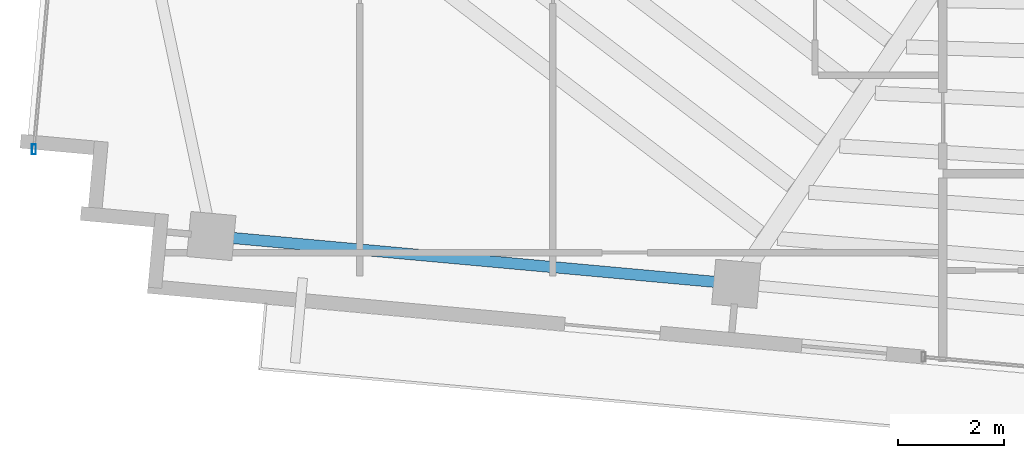
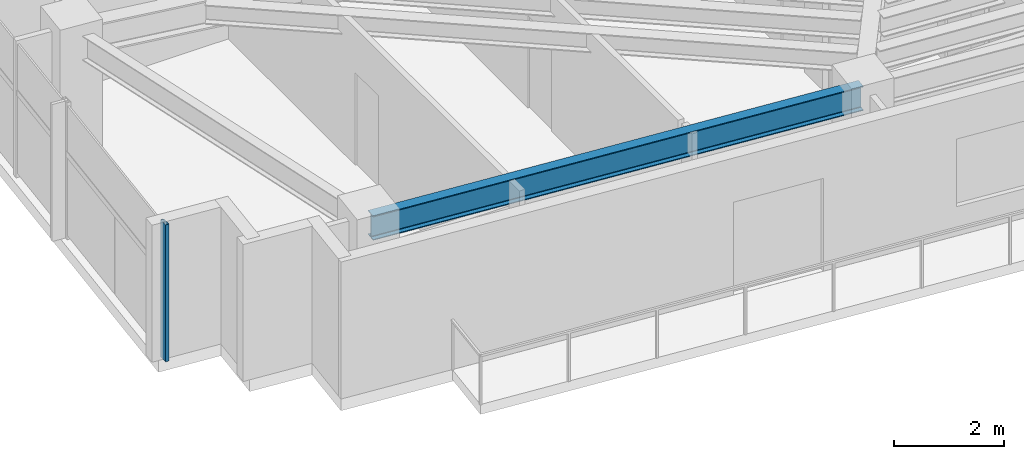
# One storey, part 2 of 22: 1 beam, 1 member, 1 element without a shape of its own.
"""IFC4 building model written with IfcOpenShell, lengths in metres."""

import ifcopenshell
import ifcopenshell.guid

model = None  # the IFC model being written
_history = None  # IfcOwnerHistory: only IFC2X3 demands one
_inside = {}  # id of a spatial element -> (the spatial element, [elements in it])
_under = {}  # id of a project, library or spatial element -> (it, [spatial elements below it])
_declared = {}  # id of a project -> (the project, [libraries it declares])
_typed = {}  # id of a type object -> (the type object, [elements of that type])
_made_of = {}  # id of a material, layer set ... -> (it, [elements and type objects made of it])


def new_model(schema):
    """Start an empty IFC model of exactly this schema.

    Asked for "IFC4X3", IfcOpenShell would pick the latest addendum, in which some entities
    have other attributes; the version numbers below select the first issue.
    IFC2X3 requires an IfcOwnerHistory on every rooted entity: one is made here for all.
    """
    global model, _history
    if schema == "IFC4X3":
        model = ifcopenshell.file(schema_version=(4, 3, 0, 0))
    else:
        model = ifcopenshell.file(schema=schema)
    _inside.clear()
    _under.clear()
    _declared.clear()
    _typed.clear()
    _made_of.clear()
    _history = None
    if model.schema == "IFC2X3":
        org = make("IfcOrganization", Name="unknown")
        user = make(
            "IfcPersonAndOrganization",
            ThePerson=make("IfcPerson", FamilyName="unknown"),
            TheOrganization=org,
        )
        app = make(
            "IfcApplication",
            ApplicationDeveloper=org,
            Version="unknown",
            ApplicationFullName="unknown",
            ApplicationIdentifier="unknown",
        )
        _history = make(
            "IfcOwnerHistory",
            OwningUser=user,
            OwningApplication=app,
            ChangeAction="ADDED",
            CreationDate=0,
        )
    return model


def make(cls, **values):
    """One entity of the class cls with the attributes given. An attribute that is None is left unset."""
    return model.create_entity(
        cls, **{name: value for name, value in values.items() if value is not None}
    )


def rooted(cls, **values):
    """An entity with a GlobalId (a new one), such as an element, a storey or a relation."""
    return make(cls, GlobalId=ifcopenshell.guid.new(), OwnerHistory=_history, **values)


def si_unit(unit_type, name, prefix=None):
    """IfcSIUnit, for example si_unit("LENGTHUNIT", "METRE", prefix="MILLI")."""
    return make("IfcSIUnit", UnitType=unit_type, Prefix=prefix, Name=name)


def assignment(units):
    """IfcUnitAssignment: the units of a project."""
    return None if units is None else make("IfcUnitAssignment", Units=units)


def point(xyz):
    """IfcCartesianPoint."""
    return None if xyz is None else make("IfcCartesianPoint", Coordinates=xyz)


def direction(xyz):
    """IfcDirection."""
    return None if xyz is None else make("IfcDirection", DirectionRatios=xyz)


def frame(location, z_axis=None, x_axis=None):
    """IfcAxis2Placement3D, a coordinate frame: its origin and axes. An axis left out is left unset."""
    return make(
        "IfcAxis2Placement3D",
        Location=point(location),
        Axis=direction(z_axis),
        RefDirection=direction(x_axis),
    )


def frame_2d(location, x_axis=None):
    """IfcAxis2Placement2D, a coordinate frame in the plane: its origin and x axis."""
    return make(
        "IfcAxis2Placement2D", Location=point(location), RefDirection=direction(x_axis)
    )


def origin():
    """The frame at (0, 0, 0) with its axes left unset."""
    return frame((0.0, 0.0, 0.0))


def origin_2d():
    """The frame at (0, 0) in the plane with its x axis left unset."""
    return frame_2d((0.0, 0.0))


def place(relative_to, where):
    """IfcLocalPlacement: puts the frame where relative to a parent placement (None: the world)."""
    return make(
        "IfcLocalPlacement", PlacementRelTo=relative_to, RelativePlacement=where
    )


def context(
    kind, dimensions, precision=None, world=None, true_north=None, identifier=None
):
    """IfcGeometricRepresentationContext, for example the 3D "Model" context."""
    return make(
        "IfcGeometricRepresentationContext",
        ContextIdentifier=identifier,
        ContextType=kind,
        CoordinateSpaceDimension=dimensions,
        Precision=precision,
        WorldCoordinateSystem=world,
        TrueNorth=true_north,
    )


def subcontext(parent, identifier, kind, view, scale=None):
    """IfcGeometricRepresentationSubContext, for example "Body" below "Model"."""
    return make(
        "IfcGeometricRepresentationSubContext",
        ContextIdentifier=identifier,
        ContextType=kind,
        ParentContext=parent,
        TargetScale=scale,
        TargetView=view,
    )


def project(units=None, contexts=None):
    """IfcProject with its units and contexts."""
    return rooted(
        "IfcProject",
        Name="project",
        RepresentationContexts=contexts,
        UnitsInContext=assignment(units),
    )


def spatial(cls, under=None, at=None, **own):
    """A site, building, storey or space (cls), placed at a placement, below another one or the project."""
    s = rooted(cls, ObjectPlacement=at, **own)
    if under is not None:
        _under.setdefault(under.id(), (under, []))[1].append(s)
    return s


def profile(cls, at=None, kind="AREA", **sizes):
    """A parametric profile (cls). Its sizes go by their IFC names, for example OverallWidth=200.0."""
    return make(cls, ProfileType=kind, Position=at, **sizes)


def hollow_rectangle(**sizes):
    """IfcRectangleHollowProfileDef."""
    return profile("IfcRectangleHollowProfileDef", **sizes)


def i_section(**sizes):
    """IfcIShapeProfileDef."""
    return profile("IfcIShapeProfileDef", **sizes)


def extrude(swept, where, along, depth):
    """IfcExtrudedAreaSolid: the profile swept, set in the frame where, extruded along a direction by depth."""
    return make(
        "IfcExtrudedAreaSolid",
        SweptArea=swept,
        Position=where,
        ExtrudedDirection=direction(along),
        Depth=depth,
    )


def shape(context_of_items, identifier, shape_type, items):
    """IfcShapeRepresentation: the items that make up one representation, for example the "Body"."""
    return make(
        "IfcShapeRepresentation",
        ContextOfItems=context_of_items,
        RepresentationIdentifier=identifier,
        RepresentationType=shape_type,
        Items=items,
    )


def source(mapping_origin, context_of_items, identifier, shape_type, items):
    """IfcRepresentationMap: a shape defined once, which mapped items show again and again."""
    return make(
        "IfcRepresentationMap",
        MappingOrigin=mapping_origin,
        MappedRepresentation=shape(context_of_items, identifier, shape_type, items),
    )


def transform(
    local_origin,
    x_axis=None,
    y_axis=None,
    z_axis=None,
    scale=None,
    scale2=None,
    scale3=None,
    uniform=True,
):
    """IfcCartesianTransformationOperator3D, or its non-uniform kind. x_axis, y_axis, z_axis: its Axis1, 2, 3."""
    if uniform:
        return make(
            "IfcCartesianTransformationOperator3D",
            Axis1=direction(x_axis),
            Axis2=direction(y_axis),
            LocalOrigin=point(local_origin),
            Scale=scale,
            Axis3=direction(z_axis),
        )
    return make(
        "IfcCartesianTransformationOperator3DnonUniform",
        Axis1=direction(x_axis),
        Axis2=direction(y_axis),
        LocalOrigin=point(local_origin),
        Scale=scale,
        Axis3=direction(z_axis),
        Scale2=scale2,
        Scale3=scale3,
    )


def mapped(mapping_source, mapping_target):
    """IfcMappedItem: shows the shape of a source again, moved by a transform."""
    return make(
        "IfcMappedItem", MappingSource=mapping_source, MappingTarget=mapping_target
    )


def material(Name=None, Category=None):
    """IfcMaterial."""
    return make("IfcMaterial", Name=Name, Category=Category)


def material_profile(
    of_material, cross_section, Name=None, Category=None, Priority=None
):
    """IfcMaterialProfile: a cross section and its material."""
    return make(
        "IfcMaterialProfile",
        Name=Name,
        Material=of_material,
        Profile=cross_section,
        Priority=Priority,
        Category=Category,
    )


def profile_set(profiles, Name=None, composite=None):
    """IfcMaterialProfileSet."""
    return make(
        "IfcMaterialProfileSet",
        Name=Name,
        MaterialProfiles=profiles,
        CompositeProfile=composite,
    )


def made_of(thing, what):
    """Note that an element or type object is made of a material, layer set ...; save() writes the relation."""
    if what is not None:
        _made_of.setdefault(what.id(), (what, []))[1].append(thing)
    return thing


def type_object(cls, material=None, **own):
    """A type object (cls), such as IfcWallType, which elements share."""
    return made_of(rooted(cls, **own), material)


def type_shapes(of_type, sources):
    """Give a type object the sources (RepresentationMaps) that its elements show as mapped items."""
    of_type.RepresentationMaps = sources


def element(
    cls,
    number,
    at=None,
    inside=None,
    cuts=None,
    type_object=None,
    material=None,
    context=None,
    identifier="Body",
    shape_type=None,
    held_by="IfcProductDefinitionShape",
    body=None,
    shapes=None,
    **own,
):
    """One element of the class cls, such as IfcWall. Its Tag is "e" and its number.

    at: its placement. inside: the storey or other place that contains it. cuts: it is an
    opening in that element (IfcRelVoidsElement). A single representation is given by context,
    identifier, shape_type and body (its items); several are given by shapes. held_by: the class
    of the entity that holds the representations. save() writes the other relations.
    """
    e = rooted(cls, Tag="e%d" % number, ObjectPlacement=at, **own)
    if body is not None:
        shapes = [shape(context, identifier, shape_type, body)]
    if shapes is not None:
        e.Representation = make(held_by, Representations=shapes)
    if inside is not None:
        _inside.setdefault(inside.id(), (inside, []))[1].append(e)
    if cuts is not None:
        rooted(
            "IfcRelVoidsElement", RelatingBuildingElement=cuts, RelatedOpeningElement=e
        )
    if type_object is not None:
        _typed.setdefault(type_object.id(), (type_object, []))[1].append(e)
    return made_of(e, material)


def aggregate(whole, parts):
    """IfcRelAggregates: a whole, such as a stair, and the parts it consists of."""
    return rooted("IfcRelAggregates", RelatingObject=whole, RelatedObjects=parts)


def save(model, path):
    """Write the relations noted so far, then the file.

    IfcRelAggregates (storeys below a building ...), IfcRelContainedInSpatialStructure (elements
    in a storey), IfcRelDefinesByType, IfcRelAssociatesMaterial and IfcRelDeclares: one each for
    every whole, place, type object, material and project.
    """
    for whole, parts in _under.values():
        aggregate(whole, parts)
    for where, things in _inside.values():
        rooted(
            "IfcRelContainedInSpatialStructure",
            RelatedElements=things,
            RelatingStructure=where,
        )
    for kind, things in _typed.values():
        rooted("IfcRelDefinesByType", RelatedObjects=things, RelatingType=kind)
    for what, things in _made_of.values():
        rooted("IfcRelAssociatesMaterial", RelatedObjects=things, RelatingMaterial=what)
    for by, libraries in _declared.values():
        rooted("IfcRelDeclares", RelatingContext=by, RelatedDefinitions=libraries)
    model.write(path)


model = new_model("IFC4")

# Units and contexts
model_context = context("Model", 3, precision=1e-05, world=origin(), true_north=direction((0.0, 1.0)))
body_context = subcontext(model_context, "Body", "Model", "MODEL_VIEW")
ifc_project = project(units=[si_unit("LENGTHUNIT", "METRE"), si_unit("AREAUNIT", "SQUARE_METRE"), si_unit("VOLUMEUNIT", "CUBIC_METRE"), si_unit("PLANEANGLEUNIT", "RADIAN"), si_unit("MASSUNIT", "GRAM", prefix="KILO")], contexts=[model_context])

# Site, building, storey
site_placement = place(None, origin())
site = spatial("IfcSite", under=ifc_project, at=site_placement, CompositionType="ELEMENT")
building_placement = place(site_placement, origin())
building = spatial("IfcBuilding", under=site, at=building_placement, Name="Astriad Promenade Condominiums", CompositionType="ELEMENT")
storey_placement = place(building_placement, frame((0.0, 0.0, 236.39990234375)))
storey = spatial("IfcBuildingStorey", under=building, at=storey_placement, Name="L68", CompositionType="ELEMENT", Elevation=236.39990234375)

# Beam
ifc_material_1 = material(Name="Steel ASTM A992 Grade 50", Category="steel")
ifc_material_profile_1 = material_profile(ifc_material_1, i_section(OverallWidth=0.210693359375, OverallDepth=0.53955078125, WebThickness=0.01171875, FlangeThickness=0.018798828125, FilletRadius=0.0166015625, at=origin_2d()), Name="W21X73")
ifc_profile_set_1 = profile_set([ifc_material_profile_1], Name="Steel ASTM A992 Grade 50")
beam_type = type_object("IfcBeamType", Name="STEEL SPANDREL BEAM W21X73", PredefinedType="SPANDREL", material=ifc_profile_set_1)
shared_shape_1 = source(origin(), body_context, "Body", "SweptSolid", [
    extrude(i_section(OverallWidth=0.210693359375, OverallDepth=0.53955078125, WebThickness=0.01171875, FlangeThickness=0.018798828125, FilletRadius=0.0166015625, at=origin_2d()), origin(), (0.0, 0.0, 1.0), 9.8203125),
])
type_shapes(beam_type, [shared_shape_1])
beam_placement = place(storey_placement, frame((12.421630859375, 12.102783203125, 2.7705078125), z_axis=(0.995883419264, -0.090643340822, 0.0), x_axis=(0.090643340822, 0.995883419264, 0.0)))
element("IfcBeam", 1, at=beam_placement, inside=storey, type_object=beam_type, Name="Perimeter Spandrel Beam SP-S1-L68", PredefinedType="SPANDREL", context=body_context, shape_type="MappedRepresentation", body=[
    mapped(shared_shape_1, transform((0.0, 0.0, 0.0), scale=1.0)),
])

# Curtain wall, member
ifc_material_2 = material(Name="Anodised aluminium Black Dark Glass Unitised", Category="aluminium")
curtain_wall_type = type_object("IfcCurtainWallType", Name="CW-B5-DARK", PredefinedType="USERDEFINED", material=ifc_material_2)
curtain_wall_placement = place(storey_placement, origin())
curtain_wall = element("IfcCurtainWall", 2, at=curtain_wall_placement, inside=storey, type_object=curtain_wall_type, Name="CW-L68-W", ObjectType="UNITISED_CURTAIN_WALL", PredefinedType="USERDEFINED")
ifc_material_3 = material(Name="Anodised aluminium 6063-T6 Black", Category="aluminium")
ifc_material_profile_2 = material_profile(ifc_material_3, hollow_rectangle(XDim=0.074951171875, YDim=0.18505859375, WallThickness=0.00439453125, at=origin_2d()), Name="ALU-MUL-75X185")
ifc_profile_set_2 = profile_set([ifc_material_profile_2], Name="Anodised aluminium 6063-T6 Black")
member_type = type_object("IfcMemberType", Name="MUL-ALU-MUL-75X185", PredefinedType="MULLION", material=ifc_profile_set_2)
shared_shape_2 = source(origin(), body_context, "Body", "SweptSolid", [
    extrude(hollow_rectangle(XDim=0.074951171875, YDim=0.18505859375, WallThickness=0.00439453125, at=origin_2d()), origin(), (0.0, 0.0, 1.0), 3.0400390625),
])
type_shapes(member_type, [shared_shape_2])
member_placement = place(storey_placement, frame((9.0458984375, 13.7353515625, 0.0), z_axis=(0.0, 0.0, 1.0), x_axis=(1.0, 0.0, 0.0)))
member = element("IfcMember", 3, at=member_placement, type_object=member_type, Name="CW-L68-W-MUL-00", PredefinedType="MULLION", context=body_context, shape_type="MappedRepresentation", body=[
    mapped(shared_shape_2, transform((0.0, 0.0, 0.0), scale=1.0)),
])
aggregate(curtain_wall, [member])

save(model, "model.ifc")
